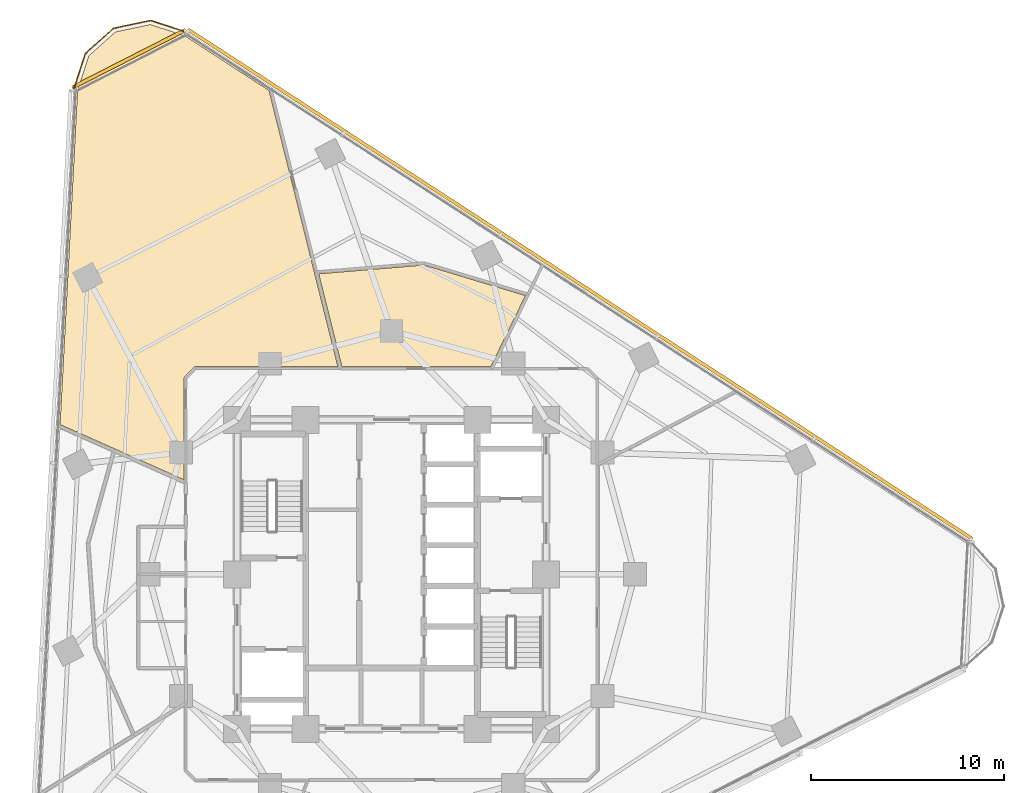
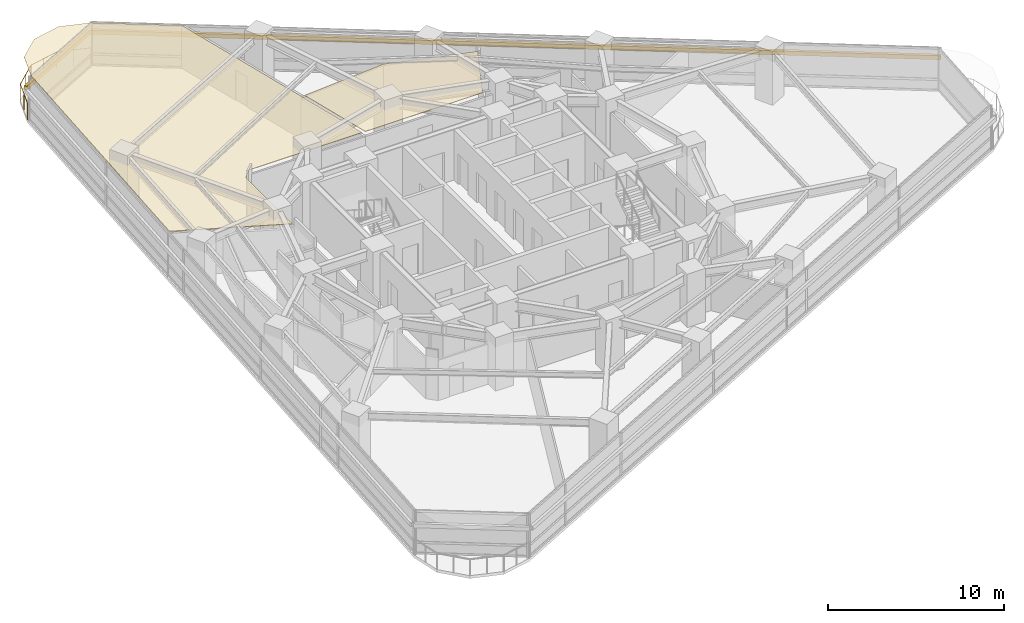
# One storey, part 14 of 14: 2 coverings, 2 shading devices, 1 railing.
"""IFC4 building model written with IfcOpenShell, lengths in metres."""

from ifc_helpers import new_model, si_unit, direction, frame, origin, origin_2d, place, context, subcontext, project, spatial, polyline, rectangle, circle, outline, extrude, material, layer, layer_set, type_object, element, save


model = new_model("IFC4")

# Units and contexts
model_context = context("Model", 3, precision=1e-05, world=origin(), true_north=direction((0.0, 1.0)))
body_context = subcontext(model_context, "Body", "Model", "MODEL_VIEW")
ifc_project = project(units=[si_unit("LENGTHUNIT", "METRE"), si_unit("AREAUNIT", "SQUARE_METRE"), si_unit("VOLUMEUNIT", "CUBIC_METRE"), si_unit("PLANEANGLEUNIT", "RADIAN"), si_unit("MASSUNIT", "GRAM", prefix="KILO")], contexts=[model_context])

# Site, building, storey
site_placement = place(None, origin())
site = spatial("IfcSite", under=ifc_project, at=site_placement, CompositionType="ELEMENT")
building_placement = place(site_placement, origin())
building = spatial("IfcBuilding", under=site, at=building_placement, Name="Terralouvre Media Tower", CompositionType="ELEMENT")
storey_placement = place(building_placement, frame((0.0, 0.0, 134.699951171875)))
storey = spatial("IfcBuildingStorey", under=building, at=storey_placement, Name="L34", CompositionType="ELEMENT", Elevation=134.699951171875)

# Coverings
ifc_material_1 = material(Name="Perforated aluminium acoustic ceiling baffle", Category="aluminium")
ifc_layer_1 = layer(ifc_material_1, 0.0400390625, Name="Perforated Acoustic Metal Tile Ceiling CL-AC1")
ifc_layer_set_1 = layer_set([ifc_layer_1], Name="Perforated aluminium acoustic ceiling baffle")
covering_type = type_object("IfcCoveringType", Name="Perforated Acoustic Metal Tile Ceiling CL-AC1", PredefinedType="CEILING", material=ifc_layer_set_1)
covering_1_placement = place(storey_placement, frame((0.0, 0.0, 2.97998046875), z_axis=(0.0, 0.0, 1.0), x_axis=(0.891006524188, 0.45399049974, 0.0)))
element("IfcCovering", 1, at=covering_1_placement, inside=storey, type_object=covering_type, Name="L34 Chamber Rehearsal Creative Workshop 7 Acoustic Ceiling", PredefinedType="CEILING", context=body_context, shape_type="SweptSolid", body=[
    extrude(outline(polyline([(8.767333984375, 13.5009765625), (3.6982421875, 15.57470703125), (2.58447265625, 10.748291015625), (9.45263671875, 7.248779296875), (12.72412109375, 9.713134765625), (8.767333984375, 13.5009765625)])), origin(), (0.0, 0.0, 1.0), 0.0400390625),
])
covering_2_placement = place(storey_placement, frame((0.0, 0.0, 2.97998046875), z_axis=(0.0, 0.0, 1.0), x_axis=(0.891006524188, 0.45399049974, 0.0)))
element("IfcCovering", 2, at=covering_2_placement, inside=storey, type_object=covering_type, Name="L34 Salon Tea and Pastry Kitchen 9 Acoustic Ceiling", PredefinedType="CEILING", context=body_context, shape_type="SweptSolid", body=[
    extrude(outline(polyline([(-9.823974609375, 12.291015625), (-7.35546875, 9.24267578125), (-4.97021484375, 13.924072265625), (-4.96533203125, 13.9326171875), (-4.959716796875, 13.940673828125), (-4.953369140625, 13.947998046875), (-4.946044921875, 13.954833984375), (-4.9384765625, 13.960693359375), (-4.929931640625, 13.966064453125), (-4.92138671875, 13.97021484375), (-4.912109375, 13.973876953125), (-4.239501953125, 14.1923828125), (-4.230224609375, 14.19482421875), (-4.220458984375, 14.196533203125), (-4.210693359375, 14.197265625), (-4.200927734375, 14.197021484375), (-4.191162109375, 14.195556640625), (-4.181640625, 14.193603515625), (-4.17236328125, 14.1904296875), (-4.163330078125, 14.186279296875), (2.400634765625, 10.841796875), (3.52978515625, 15.734130859375), (5.7158203125, 25.203857421875), (3.11474609375, 29.708984375), (1.7861328125, 31.03759765625), (0.0, 31.515869140625), (-1.7861328125, 31.037353515625), (-3.11474609375, 29.708740234375), (-11.778076171875, 14.703125), (-9.823974609375, 12.291015625)])), origin(), (0.0, 0.0, 1.0), 0.0400390625),
])

# Railing
ifc_material_2 = material(Name="Stainless steel 316 handrail and balustrade", Category="steel")
ifc_layer_2 = layer(ifc_material_2, 0.06005859375, Name="Roof Edge Safety Guardrail GR-ROOF1")
ifc_layer_set_2 = layer_set([ifc_layer_2], Name="Stainless steel 316 handrail and balustrade")
railing_type = type_object("IfcRailingType", Name="Roof Edge Safety Guardrail GR-ROOF1", PredefinedType="GUARDRAIL", material=ifc_layer_set_2)
railing_placement = place(storey_placement, frame((-10.611328125, 28.071044921875, 0.0)))
element("IfcRailing", 3, at=railing_placement, inside=storey, type_object=railing_type, Name="L34 Wind-Corner Perimeter Safety Guardrail C2", PredefinedType="GUARDRAIL", context=body_context, shape_type="SweptSolid", body=[
    extrude(circle(Radius=0.02099609375, at=origin_2d()), frame((0.0, 0.0, 1.12890625), z_axis=(-0.950979313277, 0.309254499918, 0.0), x_axis=(-0.309254499918, -0.950979313277, 0.0)), (0.0, 0.0, 1.0), 1.966552734375),
    extrude(circle(Radius=0.02099609375, at=origin_2d()), frame((-1.8701171875, 0.608154296875, 1.12890625), z_axis=(-0.9781553792, -0.207875092647, 0.0), x_axis=(0.207875092647, -0.9781553792, 0.0)), (0.0, 0.0, 1.0), 1.966064453125),
    extrude(circle(Radius=0.02099609375, at=origin_2d()), frame((-3.793212890625, 0.199462890625, 1.12890625), z_axis=(-0.743084172505, -0.66919796217, 0.0), x_axis=(0.66919796217, -0.743084172505, 0.0)), (0.0, 0.0, 1.0), 1.966064453125),
    extrude(circle(Radius=0.02099609375, at=origin_2d()), frame((-5.254150390625, -1.1162109375, 1.12890625), z_axis=(-0.308768829513, -0.951137114154, 0.0), x_axis=(0.951137114154, -0.308768829513, 0.0)), (0.0, 0.0, 1.0), 1.966552734375),
    extrude(circle(Radius=0.01904296875, at=origin_2d()), origin(), (0.0, 0.0, 1.0), 1.10791015625),
    extrude(circle(Radius=0.01904296875, at=origin_2d()), frame((-0.93505859375, 0.30419921875, 0.0)), (0.0, 0.0, 1.0), 1.10791015625),
    extrude(circle(Radius=0.01904296875, at=origin_2d()), frame((-1.8701171875, 0.608154296875, 0.0)), (0.0, 0.0, 1.0), 1.10791015625),
    extrude(circle(Radius=0.01904296875, at=origin_2d()), frame((-2.83154296875, 0.40380859375, 0.0)), (0.0, 0.0, 1.0), 1.10791015625),
    extrude(circle(Radius=0.01904296875, at=origin_2d()), frame((-3.793212890625, 0.199462890625, 0.0)), (0.0, 0.0, 1.0), 1.10791015625),
    extrude(circle(Radius=0.01904296875, at=origin_2d()), frame((-4.523681640625, -0.45849609375, 0.0)), (0.0, 0.0, 1.0), 1.10791015625),
    extrude(circle(Radius=0.01904296875, at=origin_2d()), frame((-5.254150390625, -1.1162109375, 0.0)), (0.0, 0.0, 1.0), 1.10791015625),
    extrude(circle(Radius=0.01904296875, at=origin_2d()), frame((-5.5576171875, -2.05126953125, 0.0)), (0.0, 0.0, 1.0), 1.10791015625),
    extrude(circle(Radius=0.01904296875, at=origin_2d()), frame((-5.861328125, -2.986572265625, 0.0)), (0.0, 0.0, 1.0), 1.10791015625),
])

# Shading devices
ifc_material_3 = material(Name="Extruded terracotta baguette sunshade louvres", Category="masonry")
shading_device_type = type_object("IfcShadingDeviceType", Name="Terracotta Baguette Sunshade Louvre Screen TB-LV1", PredefinedType="USERDEFINED", material=ifc_material_3)
shading_device_1_placement = place(storey_placement, frame((9.755615234375, 15.022216796875, 2.02392578125), z_axis=(0.0, 0.0, 1.0), x_axis=(-0.838670588944, 0.544639002681, 0.0)))
element("IfcShadingDevice", 4, at=shading_device_1_placement, inside=storey, type_object=shading_device_type, Name="CW-L34-F1 Terracotta Baguette Sunshade Louvre", ObjectType="BAGUETTE", PredefinedType="USERDEFINED", context=body_context, shape_type="SweptSolid", body=[
    extrude(rectangle(XDim=48.39990234375, YDim=0.179931640625, at=origin_2d()), origin(), (0.0, 0.0, 1.0), 0.280029296875),
])
shading_device_2_placement = place(storey_placement, frame((-13.603271484375, 26.697998046875, 2.02392578125), z_axis=(0.0, 0.0, 1.0), x_axis=(-0.891006600184, -0.45399035059, 0.0)))
element("IfcShadingDevice", 5, at=shading_device_2_placement, inside=storey, type_object=shading_device_type, Name="CW-L34-C2 Terracotta Baguette Sunshade Louvre", ObjectType="BAGUETTE", PredefinedType="USERDEFINED", context=body_context, shape_type="SweptSolid", body=[
    extrude(rectangle(XDim=6.581787109375, YDim=0.179931640625, at=origin_2d()), origin(), (0.0, 0.0, 1.0), 0.280029296875),
])

save(model, "model.ifc")
